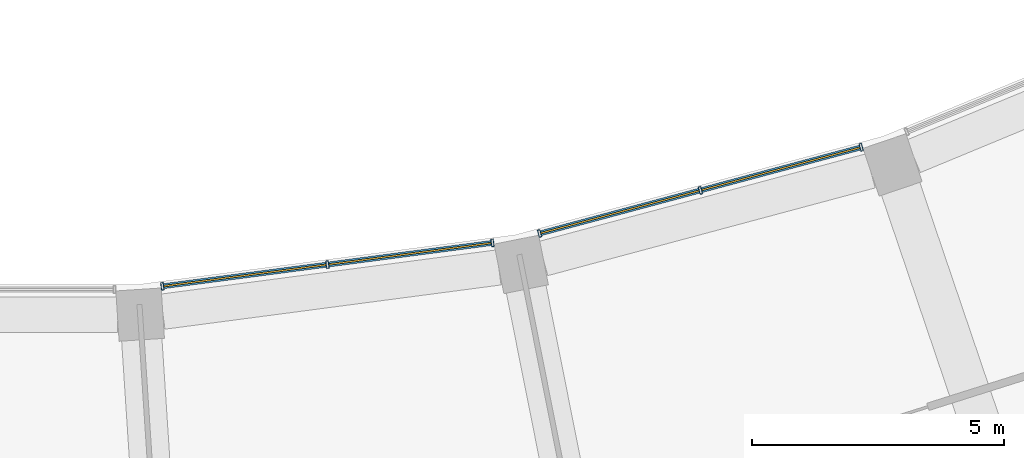
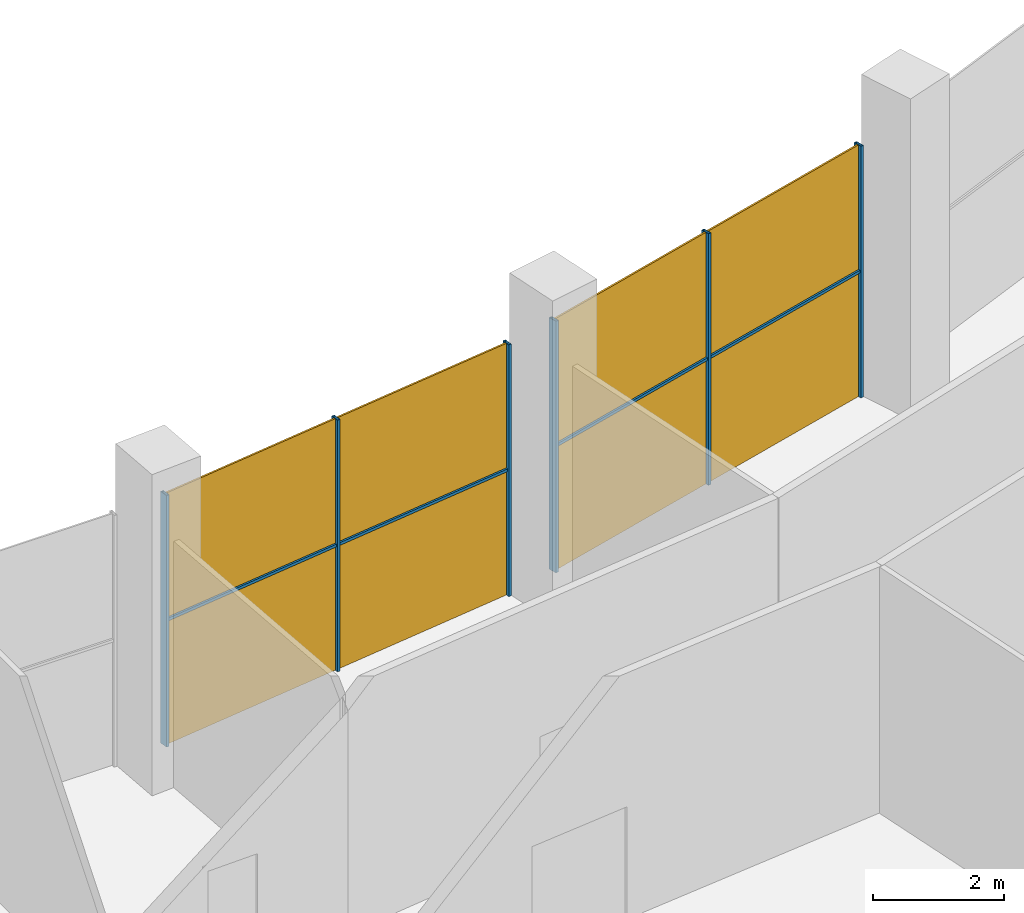
# One storey, part 33 of 41: 10 members, 2 curtain walls.
"""IFC4 building model written with IfcOpenShell, lengths in metres."""

from ifc_helpers import new_model, si_unit, direction, frame, origin, origin_2d, place, context, subcontext, project, spatial, rectangle, hollow_rectangle, extrude, material, material_profile, profile_set, type_object, element, aggregate, save


model = new_model("IFC4")

# Units and contexts
model_context = context("Model", 3, precision=1e-05, world=origin(), true_north=direction((0.0, 1.0)))
body_context = subcontext(model_context, "Body", "Model", "MODEL_VIEW")
ifc_project = project(units=[si_unit("LENGTHUNIT", "METRE"), si_unit("AREAUNIT", "SQUARE_METRE"), si_unit("VOLUMEUNIT", "CUBIC_METRE"), si_unit("PLANEANGLEUNIT", "RADIAN"), si_unit("MASSUNIT", "GRAM", prefix="KILO")], contexts=[model_context])

# Member
ifc_material = material(Name="Steel S355", Category="steel")
ifc_material_profile_1 = material_profile(ifc_material, hollow_rectangle(XDim=0.14990234375, YDim=0.050048828125, WallThickness=0.0048828125, at=origin_2d()))
ifc_profile_set_1 = profile_set([ifc_material_profile_1], Name="Steel S355")
member_type_1 = type_object("IfcMemberType", Name="Mullion RHS 150x50x5 steel S355", PredefinedType="MULLION", material=ifc_profile_set_1)
site_placement = place(None, origin())
building_placement = place(site_placement, origin())
storey_placement = place(building_placement, frame((0.0, 0.0, 284.699951171875)))
member_1_placement = place(storey_placement, frame((4.24951171875, -57.564453125, 0.0), z_axis=(0.0, 0.0, 1.0), x_axis=(-0.13052619222, 0.991444861374, 0.0)))
member_1 = element("IfcMember", 1, at=member_1_placement, type_object=member_type_1, Name="e-cw5-L69-in08/M00", PredefinedType="MULLION", context=body_context, shape_type="SweptSolid", body=[
    extrude(hollow_rectangle(XDim=0.14990234375, YDim=0.050048828125, WallThickness=0.0048828125, at=origin_2d()), origin(), (0.0, 0.0, 1.0), 4.699951171875),
])

member_2_placement = place(storey_placement, frame((7.521728515625, -57.133544921875, 0.0), z_axis=(0.0, 0.0, 1.0), x_axis=(-0.13052619222, 0.991444861374, 0.0)))
member_2 = element("IfcMember", 2, at=member_2_placement, type_object=member_type_1, Name="e-cw5-L69-in08/M01", PredefinedType="MULLION", context=body_context, shape_type="SweptSolid", body=[
    extrude(hollow_rectangle(XDim=0.14990234375, YDim=0.050048828125, WallThickness=0.0048828125, at=origin_2d()), origin(), (0.0, 0.0, 1.0), 4.699951171875),
])

member_3_placement = place(storey_placement, frame((10.7939453125, -56.702880859375, 0.0), z_axis=(0.0, 0.0, 1.0), x_axis=(-0.13052619222, 0.991444861374, 0.0)))
member_3 = element("IfcMember", 3, at=member_3_placement, type_object=member_type_1, Name="e-cw5-L69-in08/M02", PredefinedType="MULLION", context=body_context, shape_type="SweptSolid", body=[
    extrude(hollow_rectangle(XDim=0.14990234375, YDim=0.050048828125, WallThickness=0.0048828125, at=origin_2d()), origin(), (0.0, 0.0, 1.0), 4.699951171875),
])

member_4_placement = place(storey_placement, frame((11.726806640625, -56.517333984375, 0.0), z_axis=(0.0, 0.0, 1.0), x_axis=(-0.258819045103, 0.965925826289, 0.0)))
member_4 = element("IfcMember", 4, at=member_4_placement, type_object=member_type_1, Name="e-cw5-L69-in09/M00", PredefinedType="MULLION", context=body_context, shape_type="SweptSolid", body=[
    extrude(hollow_rectangle(XDim=0.14990234375, YDim=0.050048828125, WallThickness=0.0048828125, at=origin_2d()), origin(), (0.0, 0.0, 1.0), 4.699951171875),
])

member_5_placement = place(storey_placement, frame((14.914794921875, -55.6630859375, 0.0), z_axis=(0.0, 0.0, 1.0), x_axis=(-0.258819045103, 0.965925826289, 0.0)))
member_5 = element("IfcMember", 5, at=member_5_placement, type_object=member_type_1, Name="e-cw5-L69-in09/M01", PredefinedType="MULLION", context=body_context, shape_type="SweptSolid", body=[
    extrude(hollow_rectangle(XDim=0.14990234375, YDim=0.050048828125, WallThickness=0.0048828125, at=origin_2d()), origin(), (0.0, 0.0, 1.0), 4.699951171875),
])

member_6_placement = place(storey_placement, frame((18.102783203125, -54.808837890625, 0.0), z_axis=(0.0, 0.0, 1.0), x_axis=(-0.258819045103, 0.965925826289, 0.0)))
member_6 = element("IfcMember", 6, at=member_6_placement, type_object=member_type_1, Name="e-cw5-L69-in09/M02", PredefinedType="MULLION", context=body_context, shape_type="SweptSolid", body=[
    extrude(hollow_rectangle(XDim=0.14990234375, YDim=0.050048828125, WallThickness=0.0048828125, at=origin_2d()), origin(), (0.0, 0.0, 1.0), 4.699951171875),
])

ifc_material_profile_2 = material_profile(ifc_material, hollow_rectangle(XDim=0.10009765625, YDim=0.050048828125, WallThickness=0.00390625, at=origin_2d()))
ifc_profile_set_2 = profile_set([ifc_material_profile_2], Name="Steel S355")
member_type_2 = type_object("IfcMemberType", Name="Transom RHS 100x50x4 steel S355", PredefinedType="USERDEFINED", material=ifc_profile_set_2)
member_7_placement = place(storey_placement, frame((4.2744140625, -57.56103515625, 2.35009765625), z_axis=(0.991443043354, 0.130540000708, 0.0), x_axis=(-0.130540000708, 0.991443043354, 0.0)))
member_7 = element("IfcMember", 7, at=member_7_placement, type_object=member_type_2, Name="e-cw5-L69-in08/T00", ObjectType="TRANSOM", PredefinedType="USERDEFINED", context=body_context, shape_type="SweptSolid", body=[
    extrude(hollow_rectangle(XDim=0.10009765625, YDim=0.050048828125, WallThickness=0.00390625, at=origin_2d()), origin(), (0.0, 0.0, 1.0), 3.25048828125),
])

member_8_placement = place(storey_placement, frame((7.546630859375, -57.13037109375, 2.35009765625), z_axis=(0.991443043354, 0.130540000708, 0.0), x_axis=(-0.130540000708, 0.991443043354, 0.0)))
member_8 = element("IfcMember", 8, at=member_8_placement, type_object=member_type_2, Name="e-cw5-L69-in08/T01", ObjectType="TRANSOM", PredefinedType="USERDEFINED", context=body_context, shape_type="SweptSolid", body=[
    extrude(hollow_rectangle(XDim=0.10009765625, YDim=0.050048828125, WallThickness=0.00390625, at=origin_2d()), origin(), (0.0, 0.0, 1.0), 3.25048828125),
])

member_9_placement = place(storey_placement, frame((11.7509765625, -56.5107421875, 2.35009765625), z_axis=(0.965922570443, 0.258831195781, 0.0), x_axis=(-0.258831195781, 0.965922570443, 0.0)))
member_9 = element("IfcMember", 9, at=member_9_placement, type_object=member_type_2, Name="e-cw5-L69-in09/T00", ObjectType="TRANSOM", PredefinedType="USERDEFINED", context=body_context, shape_type="SweptSolid", body=[
    extrude(hollow_rectangle(XDim=0.10009765625, YDim=0.050048828125, WallThickness=0.00390625, at=origin_2d()), origin(), (0.0, 0.0, 1.0), 3.25048828125),
])

member_10_placement = place(storey_placement, frame((14.93896484375, -55.656494140625, 2.35009765625), z_axis=(0.965922570443, 0.258831195781, 0.0), x_axis=(-0.258831195781, 0.965922570443, 0.0)))
member_10 = element("IfcMember", 10, at=member_10_placement, type_object=member_type_2, Name="e-cw5-L69-in09/T01", ObjectType="TRANSOM", PredefinedType="USERDEFINED", context=body_context, shape_type="SweptSolid", body=[
    extrude(hollow_rectangle(XDim=0.10009765625, YDim=0.050048828125, WallThickness=0.00390625, at=origin_2d()), origin(), (0.0, 0.0, 1.0), 3.25048828125),
])

# Site, building, storey
site = spatial("IfcSite", under=ifc_project, at=site_placement, CompositionType="ELEMENT")
building = spatial("IfcBuilding", under=site, at=building_placement, Name="Qamariyya Broadcast Tower", CompositionType="ELEMENT")
storey = spatial("IfcBuildingStorey", under=building, at=storey_placement, Name="L69", CompositionType="ELEMENT", Elevation=284.699951171875)

# Curtain wall
curtain_wall_type = type_object("IfcCurtainWallType", Name="Observation gallery all-glass wall, steel mullions", PredefinedType="NOTDEFINED", material=ifc_material)
curtain_wall_1_placement = place(storey_placement, origin())
curtain_wall_1 = element("IfcCurtainWall", 11, at=curtain_wall_1_placement, inside=storey, type_object=curtain_wall_type, Name="e-cw5-L69-in08", PredefinedType="NOTDEFINED", context=body_context, shape_type="SweptSolid", body=[
    extrude(rectangle(XDim=3.25048828125, YDim=0.031982421875, at=origin_2d()), frame((5.8857421875, -57.348876953125, 0.0), x_axis=(0.991443922238, 0.130533325465, 0.0)), (0.0, 0.0, 1.0), 2.324951171875),
    extrude(rectangle(XDim=3.25048828125, YDim=0.031982421875, at=origin_2d()), frame((5.8857421875, -57.348876953125, 2.375), x_axis=(0.991443922238, 0.130533325465, 0.0)), (0.0, 0.0, 1.0), 2.324951171875),
    extrude(rectangle(XDim=3.25048828125, YDim=0.031982421875, at=origin_2d()), frame((9.157958984375, -56.918212890625, 0.0), x_axis=(0.991443922238, 0.130533325465, 0.0)), (0.0, 0.0, 1.0), 2.324951171875),
    extrude(rectangle(XDim=3.25048828125, YDim=0.031982421875, at=origin_2d()), frame((9.157958984375, -56.918212890625, 2.375), x_axis=(0.991443922238, 0.130533325465, 0.0)), (0.0, 0.0, 1.0), 2.324951171875),
])

aggregate(curtain_wall_1, [member_1, member_2, member_3, member_7, member_8])

curtain_wall_2_placement = place(storey_placement, origin())
curtain_wall_2 = element("IfcCurtainWall", 12, at=curtain_wall_2_placement, inside=storey, type_object=curtain_wall_type, Name="e-cw5-L69-in09", PredefinedType="NOTDEFINED", context=body_context, shape_type="SweptSolid", body=[
    extrude(rectangle(XDim=3.25048828125, YDim=0.031982421875, at=origin_2d()), frame((13.32080078125, -56.090087890625, 0.0), x_axis=(0.965924128997, 0.258825379401, 0.0)), (0.0, 0.0, 1.0), 2.324951171875),
    extrude(rectangle(XDim=3.25048828125, YDim=0.031982421875, at=origin_2d()), frame((13.32080078125, -56.090087890625, 2.375), x_axis=(0.965924128997, 0.258825379401, 0.0)), (0.0, 0.0, 1.0), 2.324951171875),
    extrude(rectangle(XDim=3.25048828125, YDim=0.031982421875, at=origin_2d()), frame((16.5087890625, -55.23583984375, 0.0), x_axis=(0.965924128997, 0.258825379401, 0.0)), (0.0, 0.0, 1.0), 2.324951171875),
    extrude(rectangle(XDim=3.25048828125, YDim=0.031982421875, at=origin_2d()), frame((16.5087890625, -55.23583984375, 2.375), x_axis=(0.965924128997, 0.258825379401, 0.0)), (0.0, 0.0, 1.0), 2.324951171875),
])

aggregate(curtain_wall_2, [member_4, member_5, member_6, member_9, member_10])

save(model, "model.ifc")
